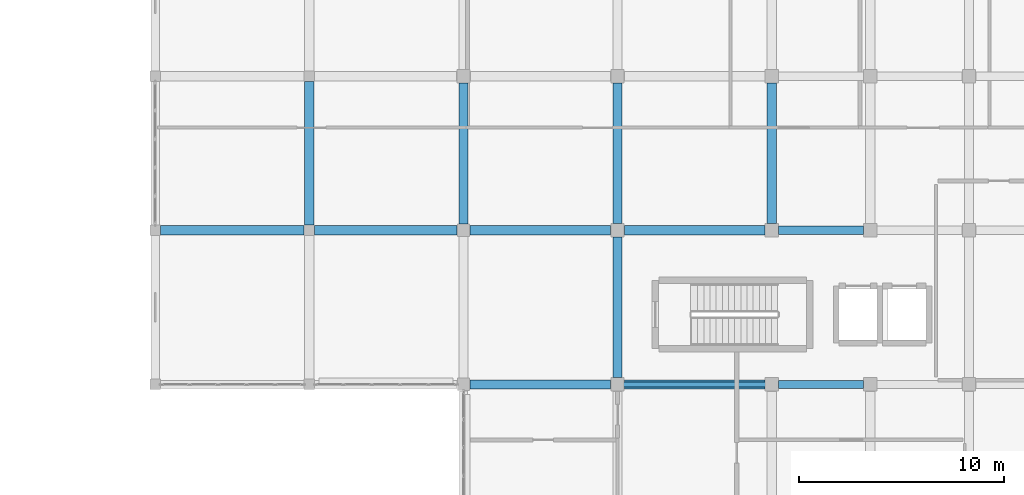
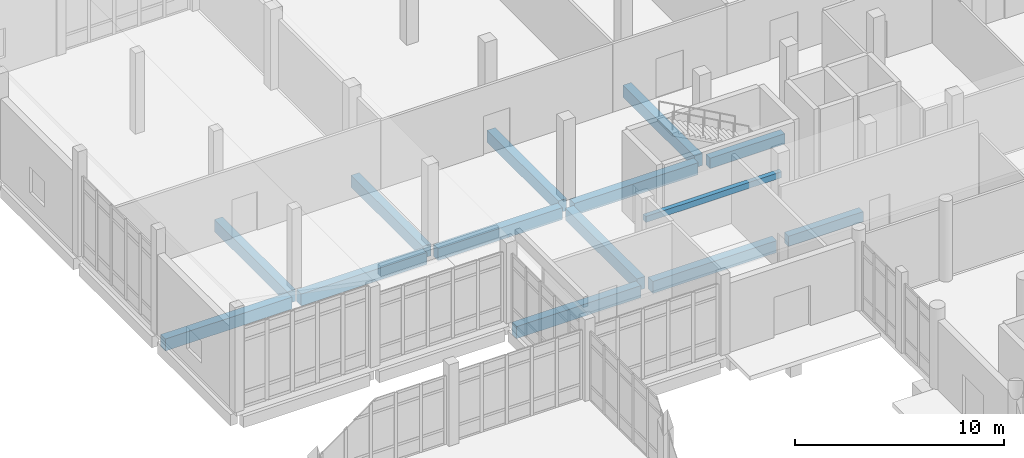
# One storey, part 69 of 173: 14 beams.
"""IFC4 building model written with IfcOpenShell, lengths in metres."""

from ifc_helpers import new_model, si_unit, direction, frame, origin, origin_2d, place, context, subcontext, project, spatial, rectangle, extrude, material, material_profile, profile_set, type_object, element, save


model = new_model("IFC4")

# Units and contexts
model_context = context("Model", 3, precision=1e-05, world=origin(), true_north=direction((0.0, 1.0)))
body_context = subcontext(model_context, "Body", "Model", "MODEL_VIEW")
ifc_project = project(units=[si_unit("LENGTHUNIT", "METRE"), si_unit("AREAUNIT", "SQUARE_METRE"), si_unit("VOLUMEUNIT", "CUBIC_METRE"), si_unit("PLANEANGLEUNIT", "RADIAN"), si_unit("MASSUNIT", "GRAM", prefix="KILO")], contexts=[model_context])

# Site, building, storey
site_placement = place(None, origin())
site = spatial("IfcSite", under=ifc_project, at=site_placement, CompositionType="ELEMENT")
building_placement = place(site_placement, origin())
building = spatial("IfcBuilding", under=site, at=building_placement, Name="Mawjan Specialist Oncology Clinic", CompositionType="ELEMENT")
storey_placement = place(building_placement, origin())
storey = spatial("IfcBuildingStorey", under=building, at=storey_placement, Name="L00", CompositionType="ELEMENT", Elevation=0.0)

# Beams
ifc_material_1 = material(Name="Concrete C40/50", Category="concrete")
ifc_material_profile_1 = material_profile(ifc_material_1, rectangle(XDim=0.39990234375, YDim=0.60009765625, at=origin_2d()), Name="RC BM 400x600", Category="concrete")
ifc_profile_set_1 = profile_set([ifc_material_profile_1], Name="Concrete C40/50")
beam_type_1 = type_object("IfcBeamType", Name="BM-400x600", PredefinedType="BEAM", material=ifc_profile_set_1)
for number, where, z_axis, x_axis, name in (
    (1, (60.3349609375, 83.300048828125, -0.719970703125), (1.0, 0.0, 0.0), (0.0, 1.0, 0.0), "L00 Collector Beam BM-L00-0028"),
    (2, (60.3349609375, 90.800048828125, -0.719970703125), (1.0, 0.0, 0.0), (0.0, 1.0, 0.0), "L00 Collector Beam BM-L00-0047"),
):
    element("IfcBeam", number, at=place(storey_placement, frame(where, z_axis=z_axis, x_axis=x_axis)), inside=storey, type_object=beam_type_1, Name=name, PredefinedType="BEAM", context=body_context, shape_type="SweptSolid", body=[
        extrude(rectangle(XDim=0.39990234375, YDim=0.60009765625, at=origin_2d()), origin(), (0.0, 0.0, 1.0), 4.130126953125),
    ])
ifc_material_2 = material(Name="Concrete C40/50", Category="concrete")
ifc_material_profile_2 = material_profile(ifc_material_2, rectangle(XDim=0.449951171875, YDim=0.699951171875, at=origin_2d()), Name="RC BM 450x700", Category="concrete")
ifc_profile_set_2 = profile_set([ifc_material_profile_2], Name="Concrete C40/50")
beam_type_2 = type_object("IfcBeamType", Name="BM-450x700", PredefinedType="BEAM", material=ifc_profile_set_2)
beam_1_placement = place(storey_placement, frame((45.31005859375, 83.300048828125, -0.77001953125), z_axis=(1.0, 0.0, 0.0), x_axis=(0.0, 1.0, 0.0)))
element("IfcBeam", 3, at=beam_1_placement, inside=storey, type_object=beam_type_2, Name="L00 Collector Beam BM-L00-0026", PredefinedType="BEAM", context=body_context, shape_type="SweptSolid", body=[
    extrude(rectangle(XDim=0.449951171875, YDim=0.699951171875, at=origin_2d()), origin(), (0.0, 0.0, 1.0), 6.85498046875),
])
beam_2_placement = place(storey_placement, frame((52.8349609375, 83.300048828125, -0.77001953125), z_axis=(1.0, 0.0, 0.0), x_axis=(0.0, 1.0, 0.0)))
element("IfcBeam", 4, at=beam_2_placement, inside=storey, type_object=beam_type_2, Name="L00 Collector Beam BM-L00-0027", PredefinedType="BEAM", context=body_context, shape_type="SweptSolid", body=[
    extrude(rectangle(XDim=0.449951171875, YDim=0.699951171875, at=origin_2d()), origin(), (0.0, 0.0, 1.0), 6.830078125),
])
beam_3_placement = place(storey_placement, frame((30.260009765625, 90.800048828125, -0.77001953125), z_axis=(1.0, 0.0, 0.0), x_axis=(0.0, 1.0, 0.0)))
element("IfcBeam", 5, at=beam_3_placement, inside=storey, type_object=beam_type_2, Name="L00 Collector Beam BM-L00-0043", PredefinedType="BEAM", context=body_context, shape_type="SweptSolid", body=[
    extrude(rectangle(XDim=0.449951171875, YDim=0.699951171875, at=origin_2d()), origin(), (0.0, 0.0, 1.0), 6.97998046875),
])
beam_4_placement = place(storey_placement, frame((37.760009765625, 90.800048828125, -0.77001953125), z_axis=(1.0, 0.0, 0.0), x_axis=(0.0, 1.0, 0.0)))
element("IfcBeam", 6, at=beam_4_placement, inside=storey, type_object=beam_type_2, Name="L00 Collector Beam BM-L00-0044", PredefinedType="BEAM", context=body_context, shape_type="SweptSolid", body=[
    extrude(rectangle(XDim=0.449951171875, YDim=0.699951171875, at=origin_2d()), origin(), (0.0, 0.0, 1.0), 6.929931640625),
])
beam_5_placement = place(storey_placement, frame((45.31005859375, 90.800048828125, -0.77001953125), z_axis=(1.0, 0.0, 0.0), x_axis=(0.0, 1.0, 0.0)))
element("IfcBeam", 7, at=beam_5_placement, inside=storey, type_object=beam_type_2, Name="L00 Collector Beam BM-L00-0045", PredefinedType="BEAM", context=body_context, shape_type="SweptSolid", body=[
    extrude(rectangle(XDim=0.449951171875, YDim=0.699951171875, at=origin_2d()), origin(), (0.0, 0.0, 1.0), 6.85498046875),
])
beam_6_placement = place(storey_placement, frame((52.8349609375, 90.800048828125, -0.77001953125), z_axis=(1.0, 0.0, 0.0), x_axis=(0.0, 1.0, 0.0)))
element("IfcBeam", 8, at=beam_6_placement, inside=storey, type_object=beam_type_2, Name="L00 Collector Beam BM-L00-0046", PredefinedType="BEAM", context=body_context, shape_type="SweptSolid", body=[
    extrude(rectangle(XDim=0.449951171875, YDim=0.699951171875, at=origin_2d()), origin(), (0.0, 0.0, 1.0), 6.830078125),
])
beam_7_placement = place(storey_placement, frame((37.5, 91.06005859375, -0.77001953125), z_axis=(0.0, 1.0, 0.0), x_axis=(-1.0, 0.0, 0.0)))
element("IfcBeam", 9, at=beam_7_placement, inside=storey, type_object=beam_type_2, Name="L00 Collector Beam BM-L00-0119", PredefinedType="BEAM", context=body_context, shape_type="SweptSolid", body=[
    extrude(rectangle(XDim=0.449951171875, YDim=0.699951171875, at=origin_2d()), origin(), (0.0, 0.0, 1.0), 6.97998046875),
])
beam_8_placement = place(storey_placement, frame((45.0, 91.110107421875, -0.77001953125), z_axis=(0.0, 1.0, 0.0), x_axis=(-1.0, 0.0, 0.0)))
element("IfcBeam", 10, at=beam_8_placement, inside=storey, type_object=beam_type_2, Name="L00 Collector Beam BM-L00-0124", PredefinedType="BEAM", context=body_context, shape_type="SweptSolid", body=[
    extrude(rectangle(XDim=0.449951171875, YDim=0.699951171875, at=origin_2d()), origin(), (0.0, 0.0, 1.0), 6.85498046875),
])
for number, where, z_axis, x_axis, name in (
    (11, (52.5, 83.635009765625, -0.77001953125), (0.0, 1.0, 0.0), (-1.0, 0.0, 0.0), "L00 Collector Beam BM-L00-0128"),
    (12, (52.5, 91.135009765625, -0.77001953125), (0.0, 1.0, 0.0), (-1.0, 0.0, 0.0), "L00 Collector Beam BM-L00-0129"),
    (13, (60.0, 91.135009765625, -0.77001953125), (0.0, 1.0, 0.0), (-1.0, 0.0, 0.0), "L00 Collector Beam BM-L00-0133"),
):
    element("IfcBeam", number, at=place(storey_placement, frame(where, z_axis=z_axis, x_axis=x_axis)), inside=storey, type_object=beam_type_2, Name=name, PredefinedType="BEAM", context=body_context, shape_type="SweptSolid", body=[
        extrude(rectangle(XDim=0.449951171875, YDim=0.699951171875, at=origin_2d()), origin(), (0.0, 0.0, 1.0), 6.830078125),
    ])
ifc_material_3 = material(Name="Concrete C40/50", Category="concrete")
ifc_material_profile_3 = material_profile(ifc_material_3, rectangle(XDim=0.25, YDim=0.35009765625, at=origin_2d()), Name="RC LINTEL 250x350", Category="concrete")
ifc_profile_set_3 = profile_set([ifc_material_profile_3], Name="Concrete C40/50")
beam_type_3 = type_object("IfcBeamType", Name="LNT-250", PredefinedType="LINTEL", material=ifc_profile_set_3)
beam_9_placement = place(storey_placement, frame((52.5, 83.300048828125, 3.25), z_axis=(1.0, 0.0, 0.0), x_axis=(0.0, 1.0, 0.0)))
element("IfcBeam", 14, at=beam_9_placement, inside=storey, type_object=beam_type_3, Name="L00 Reinforced Concrete Lintel 7", PredefinedType="LINTEL", context=body_context, shape_type="SweptSolid", body=[
    extrude(rectangle(XDim=0.25, YDim=0.35009765625, at=origin_2d()), origin(), (0.0, 0.0, 1.0), 7.5),
])

save(model, "model.ifc")
